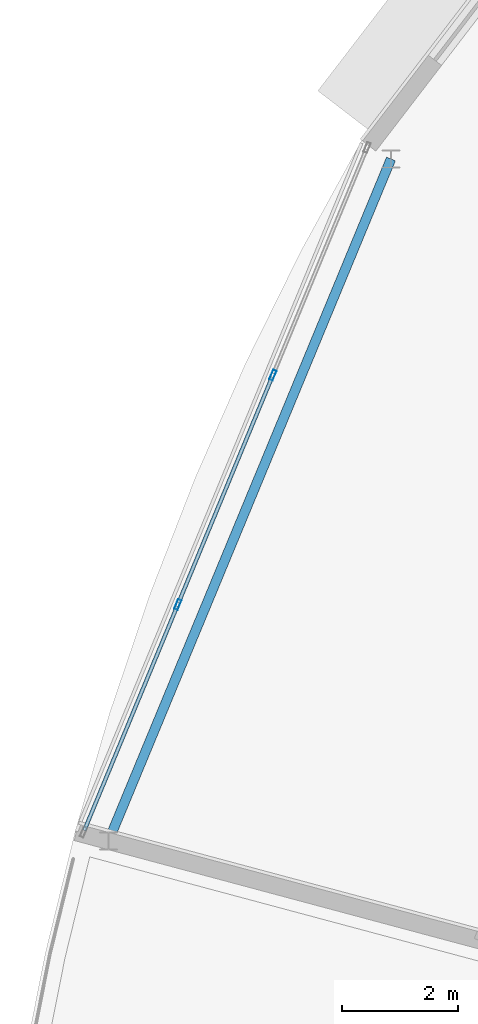
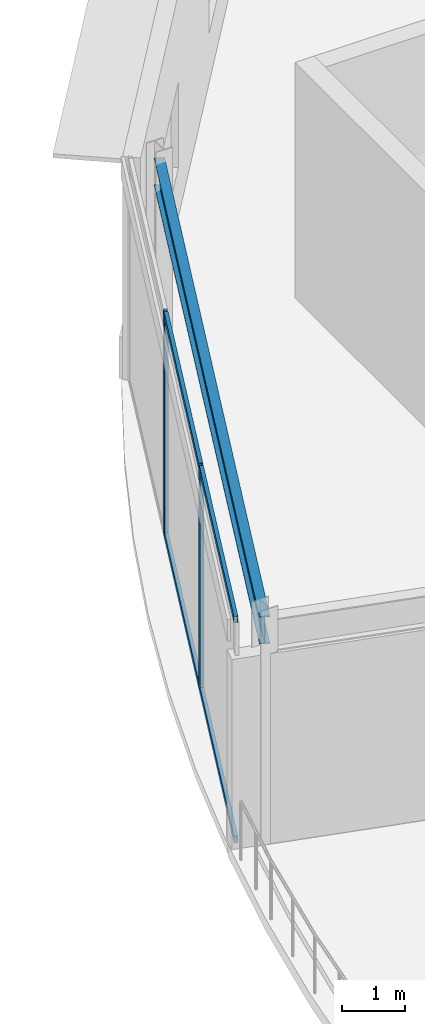
# One storey, part 26 of 89: 6 members, 1 beam, 1 element without a shape of its own.
"""IFC4 building model written with IfcOpenShell, lengths in metres."""

from ifc_helpers import new_model, si_unit, direction, frame, origin, origin_2d, place, context, subcontext, project, spatial, hollow_rectangle, i_section, extrude, material, material_profile, profile_set, type_object, element, aggregate, save


model = new_model("IFC4")

# Units and contexts
model_context = context("Model", 3, precision=1e-05, world=origin(), true_north=direction((0.0, 1.0)))
body_context = subcontext(model_context, "Body", "Model", "MODEL_VIEW")
ifc_project = project(units=[si_unit("LENGTHUNIT", "METRE"), si_unit("AREAUNIT", "SQUARE_METRE"), si_unit("VOLUMEUNIT", "CUBIC_METRE"), si_unit("PLANEANGLEUNIT", "RADIAN"), si_unit("MASSUNIT", "GRAM", prefix="KILO")], contexts=[model_context])

# Site, building, storey
site_placement = place(None, origin())
site = spatial("IfcSite", under=ifc_project, at=site_placement, CompositionType="ELEMENT")
building_placement = place(site_placement, origin())
building = spatial("IfcBuilding", under=site, at=building_placement, Name="Almandine Court Research Institute", CompositionType="ELEMENT")
storey_placement = place(building_placement, frame((0.0, 0.0, 18.89990234375)))
storey = spatial("IfcBuildingStorey", under=building, at=storey_placement, Name="L04", CompositionType="ELEMENT", Elevation=18.89990234375)

# Beam
ifc_material_1 = material(Name="Steel ASTM A992 Grade 50", Category="steel")
ifc_material_profile_1 = material_profile(ifc_material_1, i_section(OverallWidth=0.166015625, OverallDepth=0.534912109375, WebThickness=0.010009765625, FlangeThickness=0.01708984375, at=origin_2d()), Name="W530x85")
ifc_profile_set_1 = profile_set([ifc_material_profile_1], Name="Steel ASTM A992 Grade 50")
beam_type = type_object("IfcBeamType", Name="Beam-G-05-E", PredefinedType="SPANDREL", material=ifc_profile_set_1)
beam_placement = place(storey_placement, frame((44.65087890625, 80.449951171875, 4.041015625), z_axis=(-0.382653578879, -0.923891897665, 0.0), x_axis=(0.923891897665, -0.382653578879, 0.0)))
element("IfcBeam", 1, at=beam_placement, inside=storey, type_object=beam_type, Name="L04 Drum OUT Ring Beam 10", PredefinedType="SPANDREL", context=body_context, shape_type="SweptSolid", body=[
    extrude(i_section(OverallWidth=0.166015625, OverallDepth=0.534912109375, WebThickness=0.010009765625, FlangeThickness=0.01708984375, at=origin_2d()), origin(), (0.0, 0.0, 1.0), 12.765625),
])

# Curtain wall, members
ifc_material_2 = material(Name="Unitised Curtain Wall Framing and Solar Glazing", Category="glass")
curtain_wall_type = type_object("IfcCurtainWallType", Name="CW-CWJ-21", PredefinedType="USERDEFINED", material=ifc_material_2)
curtain_wall_placement = place(storey_placement, origin())
curtain_wall = element("IfcCurtainWall", 2, at=curtain_wall_placement, inside=storey, type_object=curtain_wall_type, Name="L04 Stacked-Ring Drum Outer Solar Jali Screen 10", ObjectType="SOLAR JALI SCREEN", PredefinedType="USERDEFINED")
ifc_material_3 = material(Name="Anodised Aluminium AW-6063-T6", Category="aluminium")
ifc_material_profile_2 = material_profile(ifc_material_3, hollow_rectangle(XDim=0.06494140625, YDim=0.179931640625, WallThickness=0.00390625, at=origin_2d()), Name="ALU RHS 65x180x4")
ifc_profile_set_2 = profile_set([ifc_material_profile_2], Name="Anodised Aluminium AW-6063-T6")
member_type_1 = type_object("IfcMemberType", Name="CWMul-65x180", PredefinedType="MULLION", material=ifc_profile_set_2)
member_1_placement = place(storey_placement, frame((40.965576171875, 72.7451171875, 0.0), z_axis=(0.0, 0.0, 1.0), x_axis=(-0.923888124321, 0.382662689242, 0.0)))
member_1 = element("IfcMember", 3, at=member_1_placement, type_object=member_type_1, Name="CWJ-21 mullion 2", PredefinedType="MULLION", context=body_context, shape_type="SweptSolid", body=[
    extrude(hollow_rectangle(XDim=0.06494140625, YDim=0.179931640625, WallThickness=0.00390625, at=origin_2d()), origin(), (0.0, 0.0, 1.0), 4.31005859375),
])
member_2_placement = place(storey_placement, frame((42.6083984375, 76.7109375, 0.0), z_axis=(0.0, 0.0, 1.0), x_axis=(-0.923888124321, 0.382662689242, 0.0)))
member_2 = element("IfcMember", 4, at=member_2_placement, type_object=member_type_1, Name="CWJ-21 mullion 3", PredefinedType="MULLION", context=body_context, shape_type="SweptSolid", body=[
    extrude(hollow_rectangle(XDim=0.06494140625, YDim=0.179931640625, WallThickness=0.00390625, at=origin_2d()), origin(), (0.0, 0.0, 1.0), 4.31005859375),
])
ifc_material_profile_3 = material_profile(ifc_material_3, hollow_rectangle(XDim=0.06494140625, YDim=0.1298828125, WallThickness=0.00390625, at=origin_2d()), Name="ALU RHS 65x130x4")
ifc_profile_set_3 = profile_set([ifc_material_profile_3], Name="Anodised Aluminium AW-6063-T6")
member_type_2 = type_object("IfcMemberType", Name="CWTrn-65x130", PredefinedType="NOTDEFINED", material=ifc_profile_set_3)
member_3_placement = place(storey_placement, frame((39.347900390625, 68.839111328125, 0.03271484375), z_axis=(0.382631051398, 0.923901227679, 0.0), x_axis=(-0.923901227679, 0.382631051398, 0.0)))
member_3 = element("IfcMember", 5, at=member_3_placement, type_object=member_type_2, Name="CWJ-21 transom 1.1", ObjectType="TRANSOM", PredefinedType="USERDEFINED", context=body_context, shape_type="SweptSolid", body=[
    extrude(hollow_rectangle(XDim=0.06494140625, YDim=0.1298828125, WallThickness=0.00390625, at=origin_2d()), origin(), (0.0, 0.0, 1.0), 4.1953125),
])
member_4_placement = place(storey_placement, frame((39.347900390625, 68.839111328125, 4.277587890625), z_axis=(0.382631051398, 0.923901227679, 0.0), x_axis=(-0.923901227679, 0.382631051398, 0.0)))
member_4 = element("IfcMember", 6, at=member_4_placement, type_object=member_type_2, Name="CWJ-21 transom 1.2", ObjectType="TRANSOM", PredefinedType="USERDEFINED", context=body_context, shape_type="SweptSolid", body=[
    extrude(hollow_rectangle(XDim=0.06494140625, YDim=0.1298828125, WallThickness=0.00390625, at=origin_2d()), origin(), (0.0, 0.0, 1.0), 4.1953125),
])
member_5_placement = place(storey_placement, frame((40.97802734375, 72.775146484375, 0.03271484375), z_axis=(0.382703712437, 0.92387113197, 0.0), x_axis=(-0.92387113197, 0.382703712437, 0.0)))
member_5 = element("IfcMember", 7, at=member_5_placement, type_object=member_type_2, Name="CWJ-21 transom 2.1", ObjectType="TRANSOM", PredefinedType="USERDEFINED", context=body_context, shape_type="SweptSolid", body=[
    extrude(hollow_rectangle(XDim=0.06494140625, YDim=0.1298828125, WallThickness=0.00390625, at=origin_2d()), origin(), (0.0, 0.0, 1.0), 4.2275390625),
])
member_6_placement = place(storey_placement, frame((40.97802734375, 72.775146484375, 4.277587890625), z_axis=(0.382703712437, 0.92387113197, 0.0), x_axis=(-0.92387113197, 0.382703712437, 0.0)))
member_6 = element("IfcMember", 8, at=member_6_placement, type_object=member_type_2, Name="CWJ-21 transom 2.2", ObjectType="TRANSOM", PredefinedType="USERDEFINED", context=body_context, shape_type="SweptSolid", body=[
    extrude(hollow_rectangle(XDim=0.06494140625, YDim=0.1298828125, WallThickness=0.00390625, at=origin_2d()), origin(), (0.0, 0.0, 1.0), 4.2275390625),
])
aggregate(curtain_wall, [member_1, member_2, member_3, member_4, member_5, member_6])

save(model, "model.ifc")
